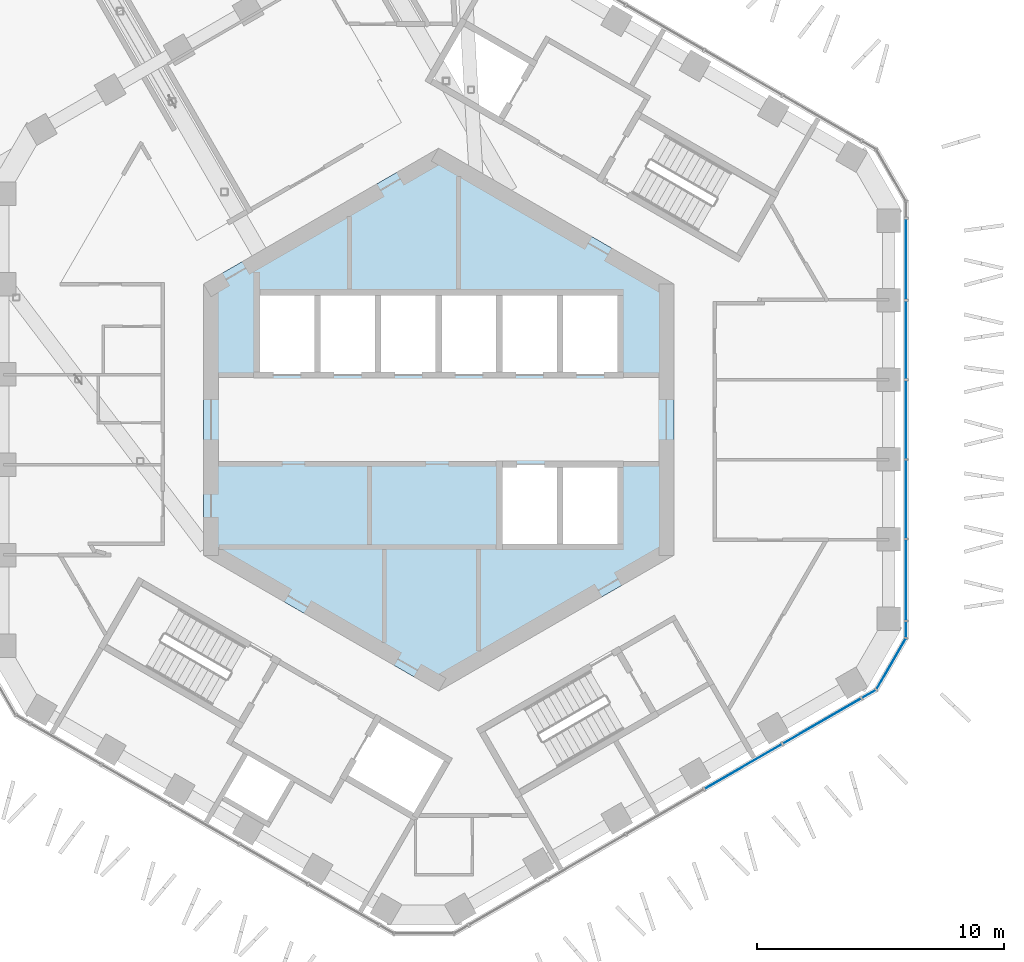
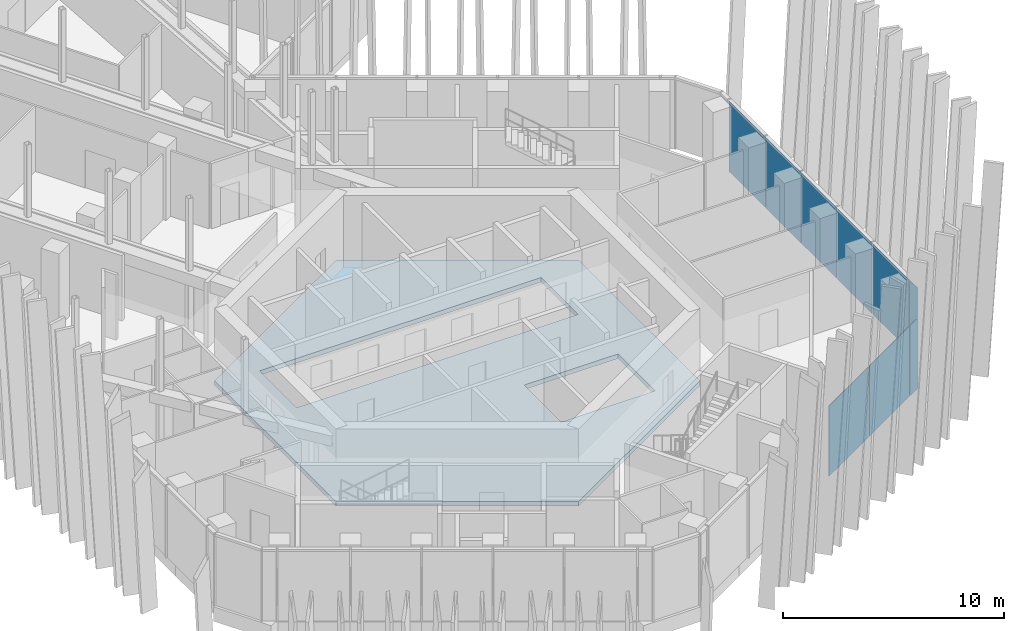
# One storey, part 13 of 29: 10 plates, 1 slab, 3 elements without a shape of their own.
"""IFC4 building model written with IfcOpenShell, lengths in metres."""

from ifc_helpers import new_model, si_unit, direction, frame, origin, origin_2d, place, context, subcontext, project, spatial, polyline, rectangle, outline, extrude, material, layer, layer_set, type_object, element, aggregate, save


model = new_model("IFC4")

# Units and contexts
model_context = context("Model", 3, precision=1e-05, world=origin(), true_north=direction((0.0, 1.0)))
body_context = subcontext(model_context, "Body", "Model", "MODEL_VIEW")
ifc_project = project(units=[si_unit("LENGTHUNIT", "METRE"), si_unit("AREAUNIT", "SQUARE_METRE"), si_unit("VOLUMEUNIT", "CUBIC_METRE"), si_unit("PLANEANGLEUNIT", "RADIAN"), si_unit("MASSUNIT", "GRAM", prefix="KILO")], contexts=[model_context])

# Site, building, storey
site_placement = place(None, origin())
site = spatial("IfcSite", under=ifc_project, at=site_placement, CompositionType="ELEMENT")
building_placement = place(site_placement, origin())
building = spatial("IfcBuilding", under=site, at=building_placement, Name="Ayvan Gate Tower", CompositionType="ELEMENT")
storey_placement = place(building_placement, frame((0.0, 0.0, 186.699951171875)))
storey = spatial("IfcBuildingStorey", under=building, at=storey_placement, Name="L50", CompositionType="ELEMENT", Elevation=186.699951171875)

# Slab
ifc_material_1 = material(Name="Concrete C40/50", Category="concrete")
ifc_layer_1 = layer(ifc_material_1, 0.25)
ifc_layer_set_1 = layer_set([ifc_layer_1], Name="Concrete C40/50")
slab_type = type_object("IfcSlabType", Name="SL-CORE-250", PredefinedType="FLOOR", material=ifc_layer_set_1)
slab_placement = place(storey_placement, frame((0.0, 0.0, -0.25)))
element("IfcSlab", 1, at=slab_placement, inside=storey, type_object=slab_type, Name="CS-L50", PredefinedType="FLOOR", context=body_context, shape_type="SweptSolid", body=[
    extrude(outline(polyline([(9.5, -5.48486328125), (0.0, -10.9697265625), (-9.5, -5.48486328125), (-9.5, 5.48486328125), (0.0, 10.9697265625), (9.5, 5.48486328125), (9.5, -5.48486328125)]), holes=[polyline([(-7.35009765625, 5.14990234375), (-7.35009765625, 1.800048828125), (7.35009765625, 1.800048828125), (7.35009765625, 5.14990234375), (-7.35009765625, 5.14990234375)]), polyline([(2.449951171875, -1.800048828125), (2.449951171875, -5.14990234375), (7.35009765625, -5.14990234375), (7.35009765625, -1.800048828125), (2.449951171875, -1.800048828125)])]), origin(), (0.0, 0.0, 1.0), 0.25),
])

# Curtain wall, plates
ifc_material_2 = material(Name="Bronze anodised aluminium", Category="aluminium")
ifc_layer_2 = layer(ifc_material_2, 0.199951171875)
ifc_layer_set_2 = layer_set([ifc_layer_2], Name="Bronze anodised aluminium")
curtain_wall_type_1 = type_object("IfcCurtainWallType", Name="Stick curtain wall CW-2", PredefinedType="NOTDEFINED", material=ifc_layer_set_2)
curtain_wall_1_placement = place(storey_placement, origin())
curtain_wall_1 = element("IfcCurtainWall", 2, at=curtain_wall_1_placement, inside=storey, type_object=curtain_wall_type_1, Name="Stick curtain wall CW-2 L50", PredefinedType="NOTDEFINED")
ifc_material_3 = material(Name="Clear low-iron laminated glass", Category="glass")
ifc_layer_3 = layer(ifc_material_3, 0.028076171875)
ifc_layer_set_3 = layer_set([ifc_layer_3], Name="Clear low-iron laminated glass")
plate_type_1 = type_object("IfcPlateType", Name="Stick curtain wall CW-2 glass panel", PredefinedType="CURTAIN_PANEL", material=ifc_layer_set_3)
plate_1_placement = place(storey_placement, frame((12.3095703125, -14.01611328125, 0.0), z_axis=(0.0, 0.0, 1.0), x_axis=(0.866025403784, 0.5, 0.0)))
plate_1 = element("IfcPlate", 3, at=plate_1_placement, type_object=plate_type_1, Name="CW-2 glass panel 4", PredefinedType="CURTAIN_PANEL", context=body_context, shape_type="SweptSolid", body=[
    extrude(rectangle(XDim=3.58203125, YDim=0.028076171875, at=origin_2d()), origin(), (0.0, 0.0, 1.0), 3.8798828125),
])
plate_2_placement = place(storey_placement, frame((15.503662109375, -12.172119140625, 0.0), z_axis=(0.0, 0.0, 1.0), x_axis=(0.866025403784, 0.5, 0.0)))
plate_2 = element("IfcPlate", 4, at=plate_2_placement, type_object=plate_type_1, Name="CW-2 glass panel 5", PredefinedType="CURTAIN_PANEL", context=body_context, shape_type="SweptSolid", body=[
    extrude(rectangle(XDim=3.654541015625, YDim=0.028076171875, at=origin_2d()), origin(), (0.0, 0.0, 1.0), 3.8798828125),
])
aggregate(curtain_wall_1, [plate_1, plate_2])

curtain_wall_2_placement = place(storey_placement, origin())
curtain_wall_2 = element("IfcCurtainWall", 5, at=curtain_wall_2_placement, inside=storey, type_object=curtain_wall_type_1, Name="Stick curtain wall CW-2 L50", PredefinedType="NOTDEFINED")
plate_3_placement = place(storey_placement, frame((18.886474609375, -6.500244140625, 0.0), z_axis=(0.0, 0.0, 1.0), x_axis=(0.0, 1.0, 0.0)))
plate_3 = element("IfcPlate", 6, at=plate_3_placement, type_object=plate_type_1, Name="CW-2 glass panel 1", PredefinedType="CURTAIN_PANEL", context=body_context, shape_type="SweptSolid", body=[
    extrude(rectangle(XDim=3.279052734375, YDim=0.028076171875, at=origin_2d()), origin(), (0.0, 0.0, 1.0), 3.8798828125),
])
plate_4_placement = place(storey_placement, frame((18.886474609375, -3.21728515625, 0.0), z_axis=(0.0, 0.0, 1.0), x_axis=(0.0, 1.0, 0.0)))
plate_4 = element("IfcPlate", 7, at=plate_4_placement, type_object=plate_type_1, Name="CW-2 glass panel 2", PredefinedType="CURTAIN_PANEL", context=body_context, shape_type="SweptSolid", body=[
    extrude(rectangle(XDim=3.14697265625, YDim=0.028076171875, at=origin_2d()), origin(), (0.0, 0.0, 1.0), 3.8798828125),
])
plate_5_placement = place(storey_placement, frame((18.886474609375, -0.000244140625, 0.0), z_axis=(0.0, 0.0, 1.0), x_axis=(0.0, 1.0, 0.0)))
plate_5 = element("IfcPlate", 8, at=plate_5_placement, type_object=plate_type_1, Name="CW-2 glass panel 3", PredefinedType="CURTAIN_PANEL", context=body_context, shape_type="SweptSolid", body=[
    extrude(rectangle(XDim=3.14697265625, YDim=0.028076171875, at=origin_2d()), origin(), (0.0, 0.0, 1.0), 3.8798828125),
])
plate_6_placement = place(storey_placement, frame((18.886474609375, 3.216796875, 0.0), z_axis=(0.0, 0.0, 1.0), x_axis=(0.0, 1.0, 0.0)))
plate_6 = element("IfcPlate", 9, at=plate_6_placement, type_object=plate_type_1, Name="CW-2 glass panel 4", PredefinedType="CURTAIN_PANEL", context=body_context, shape_type="SweptSolid", body=[
    extrude(rectangle(XDim=3.14697265625, YDim=0.028076171875, at=origin_2d()), origin(), (0.0, 0.0, 1.0), 3.8798828125),
])
plate_7_placement = place(storey_placement, frame((18.886474609375, 6.5, 0.0), z_axis=(0.0, 0.0, 1.0), x_axis=(0.0, 1.0, 0.0)))
plate_7 = element("IfcPlate", 10, at=plate_7_placement, type_object=plate_type_1, Name="CW-2 glass panel 5", PredefinedType="CURTAIN_PANEL", context=body_context, shape_type="SweptSolid", body=[
    extrude(rectangle(XDim=3.279541015625, YDim=0.028076171875, at=origin_2d()), origin(), (0.0, 0.0, 1.0), 3.8798828125),
])
aggregate(curtain_wall_2, [plate_3, plate_4, plate_5, plate_6, plate_7])

ifc_layer_4 = layer(ifc_material_2, 0.199951171875)
ifc_layer_set_4 = layer_set([ifc_layer_4], Name="Bronze anodised aluminium")
curtain_wall_type_2 = type_object("IfcCurtainWallType", Name="Stick curtain wall CW-6", PredefinedType="NOTDEFINED", material=ifc_layer_set_4)
curtain_wall_3_placement = place(storey_placement, origin())
curtain_wall_3 = element("IfcCurtainWall", 11, at=curtain_wall_3_placement, inside=storey, type_object=curtain_wall_type_2, Name="Stick curtain wall CW-6 L50", PredefinedType="NOTDEFINED")
ifc_layer_5 = layer(ifc_material_3, 0.028076171875)
ifc_layer_set_5 = layer_set([ifc_layer_5], Name="Clear low-iron laminated glass")
plate_type_2 = type_object("IfcPlateType", Name="Stick curtain wall CW-6 glass panel", PredefinedType="CURTAIN_PANEL", material=ifc_layer_set_5)
plate_8_placement = place(storey_placement, frame((17.386962890625, -11.084716796875, 0.0), z_axis=(0.0, 0.0, 1.0), x_axis=(0.866025403784, 0.5, 0.0)))
plate_8 = element("IfcPlate", 12, at=plate_8_placement, type_object=plate_type_2, Name="CW-6 glass panel 1", PredefinedType="CURTAIN_PANEL", context=body_context, shape_type="SweptSolid", body=[
    extrude(rectangle(XDim=0.625, YDim=0.028076171875, at=origin_2d()), origin(), (0.0, 0.0, 1.0), 3.8798828125),
])
plate_9_placement = place(storey_placement, frame((18.282958984375, -9.870361328125, 0.0), z_axis=(0.0, 0.0, 1.0), x_axis=(0.5, 0.866025403784, 0.0)))
plate_9 = element("IfcPlate", 13, at=plate_9_placement, type_object=plate_type_2, Name="CW-6 glass panel 2", PredefinedType="CURTAIN_PANEL", context=body_context, shape_type="SweptSolid", body=[
    extrude(rectangle(XDim=2.364501953125, YDim=0.028076171875, at=origin_2d()), origin(), (0.0, 0.0, 1.0), 3.8798828125),
])
plate_10_placement = place(storey_placement, frame((18.886474609375, -8.4873046875, 0.0), z_axis=(0.0, 0.0, 1.0), x_axis=(0.0, 1.0, 0.0)))
plate_10 = element("IfcPlate", 14, at=plate_10_placement, type_object=plate_type_2, Name="CW-6 glass panel 3", PredefinedType="CURTAIN_PANEL", context=body_context, shape_type="SweptSolid", body=[
    extrude(rectangle(XDim=0.625, YDim=0.028076171875, at=origin_2d()), origin(), (0.0, 0.0, 1.0), 3.8798828125),
])
aggregate(curtain_wall_3, [plate_8, plate_9, plate_10])

save(model, "model.ifc")
